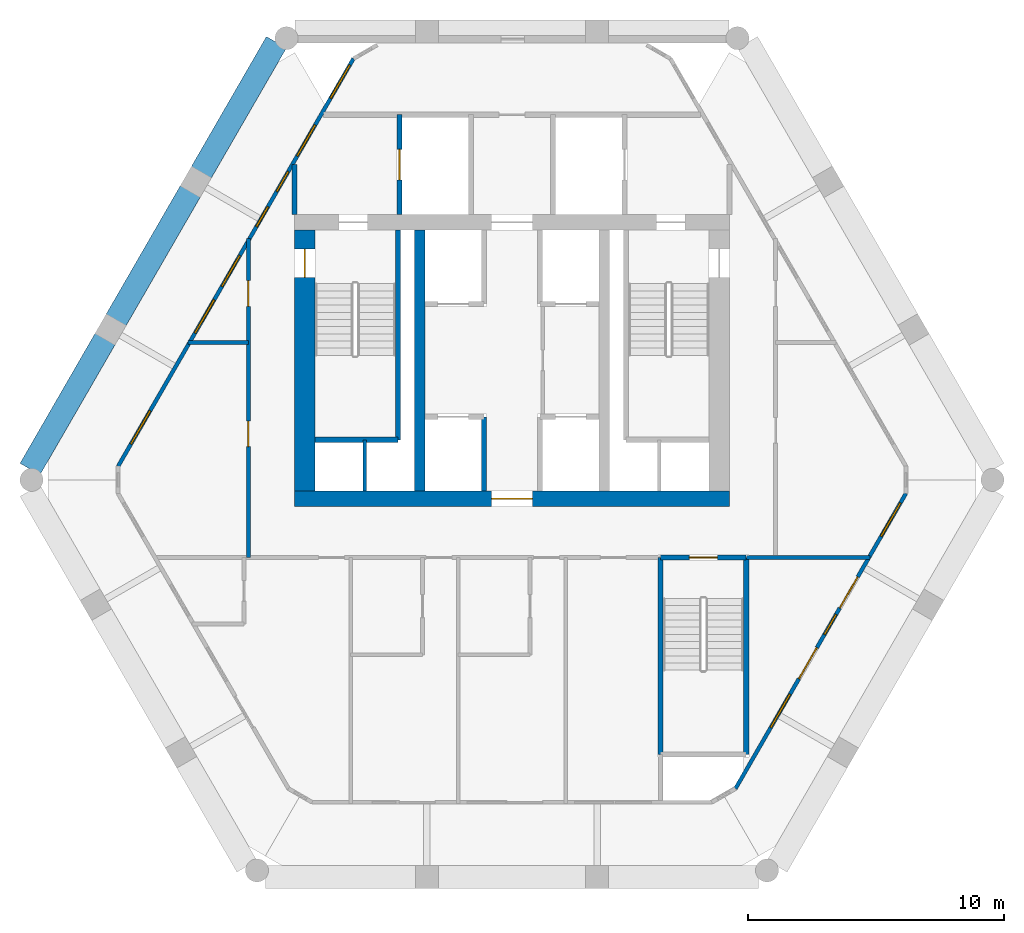
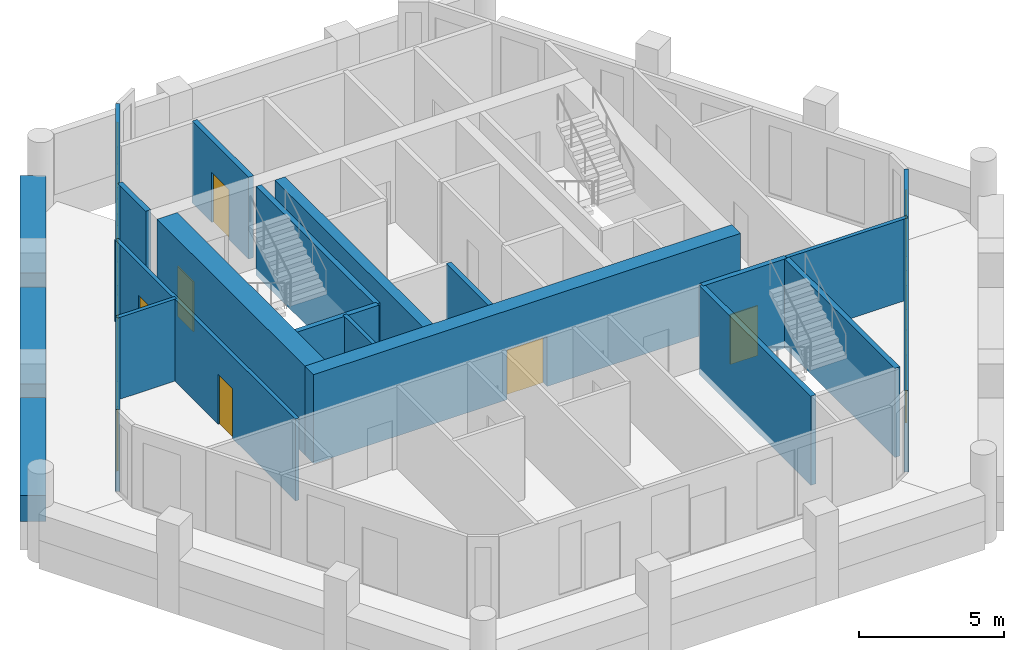
# One storey, part 3 of 6: 20 walls, 10 windows, 8 doors, 18 openings.
"""IFC4 building model written with IfcOpenShell, lengths in metres."""

from ifc_helpers import new_model, si_unit, direction, frame, frame_2d, origin, place, context, subcontext, project, spatial, rectangle, extrude, material, layer, layer_set, type_object, element, fill, save


model = new_model("IFC4")

# Units and contexts
model_context = context("Model", 3, precision=1e-05, world=origin(), true_north=direction((0.0, 1.0)))
body_context = subcontext(model_context, "Body", "Model", "MODEL_VIEW")
ifc_project = project(units=[si_unit("LENGTHUNIT", "METRE"), si_unit("AREAUNIT", "SQUARE_METRE"), si_unit("VOLUMEUNIT", "CUBIC_METRE"), si_unit("PLANEANGLEUNIT", "RADIAN"), si_unit("MASSUNIT", "GRAM", prefix="KILO")], contexts=[model_context])

# Site, building, storey
site_placement = place(None, origin())
site = spatial("IfcSite", under=ifc_project, at=site_placement, CompositionType="ELEMENT")
building_placement = place(site_placement, origin())
building = spatial("IfcBuilding", under=site, at=building_placement, Name="Ostrander Bayou Hotel Tower", CompositionType="ELEMENT")
storey_placement = place(building_placement, frame((0.0, 0.0, 248.75)))
storey = spatial("IfcBuildingStorey", under=building, at=storey_placement, Name="L61", CompositionType="ELEMENT", Elevation=248.75)

# Wall, opening, door
ifc_material_1 = material(Name="Concrete f'c 60 MPa", Category="concrete")
ifc_layer_1 = layer(ifc_material_1, 0.60009765625)
ifc_layer_set_1 = layer_set([ifc_layer_1], Name="CW10 core wall 600 mm f'c 60 MPa")
wall_type_1 = type_object("IfcWallType", Name="CW10 core wall 600 mm f'c 60 MPa", PredefinedType="SHEAR", material=ifc_layer_set_1)
wall_1_placement = place(storey_placement, frame((-8.5, -1.39990234375, -0.300048828125), z_axis=(0.0, 0.0, 1.0), x_axis=(1.0, 0.0, 0.0)))
wall_1 = element("IfcWall", 1, at=wall_1_placement, inside=storey, type_object=wall_type_1, Name="CW10 L61 S", PredefinedType="SHEAR", context=body_context, shape_type="SweptSolid", body=[
    extrude(rectangle(XDim=17.0, YDim=0.60009765625, at=frame_2d((8.5, 0.0))), origin(), (0.0, 0.0, 1.0), 3.75),
])
opening_1_placement = place(wall_1_placement, frame((7.699951171875, 0.0, 0.0)))
opening_1 = element("IfcOpeningElement", 2, at=opening_1_placement, cuts=wall_1, Name="Opening T60-005", PredefinedType="OPENING", context=body_context, shape_type="SweptSolid", body=[
    extrude(rectangle(XDim=1.60009765625, YDim=2.10009765625, at=frame_2d((0.800048828125, 1.050048828125))), frame((0.0, 0.300048828125, 0.0), z_axis=(0.0, -1.0, 0.0), x_axis=(1.0, 0.0, 0.0)), (0.0, 0.0, 1.0), 0.60009765625),
])
ifc_material_2 = material(Name="Timber door leaf", Category="wood")
door_type_1 = type_object("IfcDoorType", Name="D13 double door 1600 x 2100 mm, 1 hour", OperationType="SINGLE_SWING_LEFT", PredefinedType="DOOR", material=ifc_material_2)
door_1_placement = place(opening_1_placement, origin())
door_1 = element("IfcDoor", 3, at=door_1_placement, inside=storey, type_object=door_type_1, Name="dr:L61:005", OperationType="DOUBLE_DOOR_SINGLE_SWING", OverallHeight=2.10009765625, OverallWidth=1.60009765625, PredefinedType="DOOR", context=body_context, shape_type="SweptSolid", body=[
    extrude(rectangle(XDim=1.60009765625, YDim=2.10009765625, at=frame_2d((0.800048828125, 1.050048828125))), frame((0.0, 0.02490234375, 0.0), z_axis=(0.0, -1.0, 0.0), x_axis=(1.0, 0.0, 0.0)), (0.0, 0.0, 1.0), 0.050048828125),
])
fill(opening_1, door_1)

ifc_material_3 = material(Name="Concrete f'c 60 MPa", Category="concrete")
ifc_layer_2 = layer(ifc_material_3, 0.800048828125)
ifc_layer_set_2 = layer_set([ifc_layer_2], Name="CW11 core spine wall 800 mm f'c 60 MPa")
wall_type_2 = type_object("IfcWallType", Name="CW11 core spine wall 800 mm f'c 60 MPa", PredefinedType="SHEAR", material=ifc_layer_set_2)
wall_2_placement = place(storey_placement, frame((-8.10009765625, -1.10009765625, -0.300048828125), z_axis=(0.0, 0.0, 1.0), x_axis=(0.0, 1.0, 0.0)))
wall_2 = element("IfcWall", 4, at=wall_2_placement, inside=storey, type_object=wall_type_2, Name="CW11 L61 W", PredefinedType="SHEAR", context=body_context, shape_type="SweptSolid", body=[
    extrude(rectangle(XDim=10.2001953125, YDim=0.800048828125, at=frame_2d((5.10009765625, 0.0))), origin(), (0.0, 0.0, 1.0), 3.75),
])
opening_2_placement = place(wall_2_placement, frame((8.35009765625, 0.0, 0.0)))
opening_2 = element("IfcOpeningElement", 5, at=opening_2_placement, cuts=wall_2, Name="Opening T60-008", PredefinedType="OPENING", context=body_context, shape_type="SweptSolid", body=[
    extrude(rectangle(XDim=1.10009765625, YDim=2.10009765625, at=frame_2d((0.550048828125, 1.050048828125))), frame((0.0, 0.39990234375, 0.0), z_axis=(0.0, -1.0, 0.0), x_axis=(1.0, 0.0, 0.0)), (0.0, 0.0, 1.0), 0.800048828125),
])
ifc_material_4 = material(Name="Timber door leaf", Category="wood")
door_type_2 = type_object("IfcDoorType", Name="D5 stair door 1100 x 2100 mm, 90 minute", OperationType="SINGLE_SWING_LEFT", PredefinedType="DOOR", material=ifc_material_4)
door_2_placement = place(opening_2_placement, origin())
door_2 = element("IfcDoor", 6, at=door_2_placement, inside=storey, type_object=door_type_2, Name="dr:L61:008", OperationType="SINGLE_SWING_RIGHT", OverallHeight=2.10009765625, OverallWidth=1.10009765625, PredefinedType="DOOR", context=body_context, shape_type="SweptSolid", body=[
    extrude(rectangle(XDim=1.10009765625, YDim=2.10009765625, at=frame_2d((0.550048828125, 1.050048828125))), frame((0.0, 0.02490234375, 0.0), z_axis=(0.0, -1.0, 0.0), x_axis=(1.0, 0.0, 0.0)), (0.0, 0.0, 1.0), 0.050048828125),
])
fill(opening_2, door_2)

# Wall
ifc_material_5 = material(Name="Concrete f'c 60 MPa", Category="concrete")
ifc_layer_3 = layer(ifc_material_5, 0.39990234375)
ifc_layer_set_3 = layer_set([ifc_layer_3], Name="CW12 core bank wall 400 mm f'c 60 MPa")
wall_type_3 = type_object("IfcWallType", Name="CW12 core bank wall 400 mm f'c 60 MPa", PredefinedType="SHEAR", material=ifc_layer_set_3)
wall_3_placement = place(storey_placement, frame((-3.60009765625, -1.10009765625, -0.300048828125), z_axis=(0.0, 0.0, 1.0), x_axis=(0.0, 1.0, 0.0)))
element("IfcWall", 7, at=wall_3_placement, inside=storey, type_object=wall_type_3, Name="CW12 L61 CW", PredefinedType="SHEAR", context=body_context, shape_type="SweptSolid", body=[
    extrude(rectangle(XDim=10.2001953125, YDim=0.39990234375, at=frame_2d((5.10009765625, 0.0))), origin(), (0.0, 0.0, 1.0), 3.75),
])

# Wall, openings, windows
ifc_material_6 = material(Name="Aluminium framed insulated wall", Category="aluminium")
ifc_layer_4 = layer(ifc_material_6, 0.14990234375)
ifc_layer_set_4 = layer_set([ifc_layer_4], Name="GW1 glass-line wall 150 mm")
wall_type_4 = type_object("IfcWallType", Name="GW1 glass-line wall 150 mm", PredefinedType="SOLIDWALL", material=ifc_layer_set_4)
wall_4_placement = place(storey_placement, frame((-6.19287109375, 15.79248046875, 0.0), z_axis=(0.0, 0.0, 1.0), x_axis=(-0.499998651697, -0.866026182226, 0.0)))
wall_4 = element("IfcWall", 8, at=wall_4_placement, inside=storey, type_object=wall_type_4, Name="GW1 L61 NW 1", PredefinedType="SOLIDWALL", context=body_context, shape_type="SweptSolid", body=[
    extrude(rectangle(XDim=18.38916015625, YDim=0.14990234375, at=frame_2d((9.194580078125, 0.0))), origin(), (0.0, 0.0, 1.0), 3.449951171875),
])
opening_3_placement = place(wall_4_placement, frame((5.093505859375, 0.0, 0.14990234375)))
opening_3 = element("IfcOpeningElement", 9, at=opening_3_placement, cuts=wall_4, Name="Opening W18", PredefinedType="OPENING", context=body_context, shape_type="SweptSolid", body=[
    extrude(rectangle(XDim=0.89990234375, YDim=2.85009765625, at=frame_2d((0.449951171875, 1.425048828125))), frame((0.0, 0.074951171875, 0.0), z_axis=(0.0, -1.0, 0.0), x_axis=(1.0, 0.0, 0.0)), (0.0, 0.0, 1.0), 0.14990234375),
])
opening_4_placement = place(wall_4_placement, frame((2.99365234375, 0.0, 0.14990234375)))
opening_4 = element("IfcOpeningElement", 10, at=opening_4_placement, cuts=wall_4, Name="Opening W14", PredefinedType="OPENING", context=body_context, shape_type="SweptSolid", body=[
    extrude(rectangle(XDim=1.39990234375, YDim=2.85009765625, at=frame_2d((0.699951171875, 1.425048828125))), frame((0.0, 0.074951171875, 0.0), z_axis=(0.0, -1.0, 0.0), x_axis=(1.0, 0.0, 0.0)), (0.0, 0.0, 1.0), 0.14990234375),
])
opening_5_placement = place(wall_4_placement, frame((6.68017578125, 0.0, 0.14990234375)))
opening_5 = element("IfcOpeningElement", 11, at=opening_5_placement, cuts=wall_4, Name="Opening W18", PredefinedType="OPENING", context=body_context, shape_type="SweptSolid", body=[
    extrude(rectangle(XDim=0.89990234375, YDim=2.85009765625, at=frame_2d((0.449951171875, 1.425048828125))), frame((0.0, 0.074951171875, 0.0), z_axis=(0.0, -1.0, 0.0), x_axis=(1.0, 0.0, 0.0)), (0.0, 0.0, 1.0), 0.14990234375),
])
opening_6_placement = place(wall_4_placement, frame((8.880126953125, 0.0, 0.14990234375)))
opening_6 = element("IfcOpeningElement", 12, at=opening_6_placement, cuts=wall_4, Name="Opening W14", PredefinedType="OPENING", context=body_context, shape_type="SweptSolid", body=[
    extrude(rectangle(XDim=1.39990234375, YDim=2.85009765625, at=frame_2d((0.699951171875, 1.425048828125))), frame((0.0, 0.074951171875, 0.0), z_axis=(0.0, -1.0, 0.0), x_axis=(1.0, 0.0, 0.0)), (0.0, 0.0, 1.0), 0.14990234375),
])
opening_7_placement = place(wall_4_placement, frame((10.880126953125, 0.0, 0.14990234375)))
opening_7 = element("IfcOpeningElement", 13, at=opening_7_placement, cuts=wall_4, Name="Opening W4", PredefinedType="OPENING", context=body_context, shape_type="SweptSolid", body=[
    extrude(rectangle(XDim=1.5, YDim=2.85009765625, at=frame_2d((0.75, 1.425048828125))), frame((0.0, 0.074951171875, 0.0), z_axis=(0.0, -1.0, 0.0), x_axis=(1.0, 0.0, 0.0)), (0.0, 0.0, 1.0), 0.14990234375),
])
opening_8_placement = place(wall_4_placement, frame((0.2900390625, 0.0, 0.14990234375)))
opening_8 = element("IfcOpeningElement", 14, at=opening_8_placement, cuts=wall_4, Name="Opening W4", PredefinedType="OPENING", context=body_context, shape_type="SweptSolid", body=[
    extrude(rectangle(XDim=1.5, YDim=2.72998046875, at=frame_2d((0.75, 1.364990234375))), frame((0.0, 0.074951171875, 0.0), z_axis=(0.0, -1.0, 0.0), x_axis=(1.0, 0.0, 0.0)), (0.0, 0.0, 1.0), 0.14990234375),
])
opening_9_placement = place(wall_4_placement, frame((15.884765625, 0.0, 0.14990234375)))
opening_9 = element("IfcOpeningElement", 15, at=opening_9_placement, cuts=wall_4, Name="Opening W4", PredefinedType="OPENING", context=body_context, shape_type="SweptSolid", body=[
    extrude(rectangle(XDim=1.5, YDim=2.72998046875, at=frame_2d((0.75, 1.364990234375))), frame((0.0, 0.074951171875, 0.0), z_axis=(0.0, -1.0, 0.0), x_axis=(1.0, 0.0, 0.0)), (0.0, 0.0, 1.0), 0.14990234375),
])
ifc_material_7 = material(Name="Aluminium and clear glass", Category="aluminium")
window_type_1 = type_object("IfcWindowType", Name="W14 fixed window 1400 mm, bath bay, zone 4", PartitioningType="SINGLE_PANEL", PredefinedType="WINDOW", material=ifc_material_7)
window_1_placement = place(opening_4_placement, origin())
window_1 = element("IfcWindow", 16, at=window_1_placement, inside=storey, type_object=window_type_1, Name="W14 L61 NW 1", OverallHeight=2.85009765625, OverallWidth=1.39990234375, PartitioningType="SINGLE_PANEL", PredefinedType="WINDOW", context=body_context, shape_type="SweptSolid", body=[
    extrude(rectangle(XDim=1.39990234375, YDim=2.85009765625, at=frame_2d((0.699951171875, 1.425048828125))), frame((0.0, 0.030029296875, 0.0), z_axis=(0.0, -1.0, 0.0), x_axis=(1.0, 0.0, 0.0)), (0.0, 0.0, 1.0), 0.06005859375),
])
fill(opening_4, window_1)
window_2_placement = place(opening_6_placement, origin())
window_2 = element("IfcWindow", 17, at=window_2_placement, inside=storey, type_object=window_type_1, Name="W14 L61 NW 2", OverallHeight=2.85009765625, OverallWidth=1.39990234375, PartitioningType="SINGLE_PANEL", PredefinedType="WINDOW", context=body_context, shape_type="SweptSolid", body=[
    extrude(rectangle(XDim=1.39990234375, YDim=2.85009765625, at=frame_2d((0.699951171875, 1.425048828125))), frame((0.0, 0.030029296875, 0.0), z_axis=(0.0, -1.0, 0.0), x_axis=(1.0, 0.0, 0.0)), (0.0, 0.0, 1.0), 0.06005859375),
])
fill(opening_6, window_2)
ifc_material_8 = material(Name="Aluminium and clear glass", Category="aluminium")
window_type_2 = type_object("IfcWindowType", Name="W18 window 900 mm, zone 4", PartitioningType="SINGLE_PANEL", PredefinedType="WINDOW", material=ifc_material_8)
window_3_placement = place(opening_3_placement, origin())
window_3 = element("IfcWindow", 18, at=window_3_placement, inside=storey, type_object=window_type_2, Name="W18 L61 NW 1", OverallHeight=2.85009765625, OverallWidth=0.89990234375, PartitioningType="SINGLE_PANEL", PredefinedType="WINDOW", context=body_context, shape_type="SweptSolid", body=[
    extrude(rectangle(XDim=0.89990234375, YDim=2.85009765625, at=frame_2d((0.449951171875, 1.425048828125))), frame((0.0, 0.030029296875, 0.0), z_axis=(0.0, -1.0, 0.0), x_axis=(1.0, 0.0, 0.0)), (0.0, 0.0, 1.0), 0.06005859375),
])
fill(opening_3, window_3)
window_4_placement = place(opening_5_placement, origin())
window_4 = element("IfcWindow", 19, at=window_4_placement, inside=storey, type_object=window_type_2, Name="W18 L61 NW 2", OverallHeight=2.85009765625, OverallWidth=0.89990234375, PartitioningType="SINGLE_PANEL", PredefinedType="WINDOW", context=body_context, shape_type="SweptSolid", body=[
    extrude(rectangle(XDim=0.89990234375, YDim=2.85009765625, at=frame_2d((0.449951171875, 1.425048828125))), frame((0.0, 0.030029296875, 0.0), z_axis=(0.0, -1.0, 0.0), x_axis=(1.0, 0.0, 0.0)), (0.0, 0.0, 1.0), 0.06005859375),
])
fill(opening_5, window_4)
ifc_material_9 = material(Name="Aluminium and clear glass", Category="aluminium")
window_type_3 = type_object("IfcWindowType", Name="W4 fixed window 1500 mm, zone 4", PartitioningType="SINGLE_PANEL", PredefinedType="WINDOW", material=ifc_material_9)
window_5_placement = place(opening_7_placement, origin())
window_5 = element("IfcWindow", 20, at=window_5_placement, inside=storey, type_object=window_type_3, Name="W4 L61 NW 3", OverallHeight=2.85009765625, OverallWidth=1.5, PartitioningType="SINGLE_PANEL", PredefinedType="WINDOW", context=body_context, shape_type="SweptSolid", body=[
    extrude(rectangle(XDim=1.5, YDim=2.85009765625, at=frame_2d((0.75, 1.425048828125))), frame((0.0, 0.030029296875, 0.0), z_axis=(0.0, -1.0, 0.0), x_axis=(1.0, 0.0, 0.0)), (0.0, 0.0, 1.0), 0.06005859375),
])
fill(opening_7, window_5)
window_6_placement = place(opening_8_placement, origin())
window_6 = element("IfcWindow", 21, at=window_6_placement, inside=storey, type_object=window_type_3, Name="W4 L61 NW E11", OverallHeight=2.72998046875, OverallWidth=1.5, PartitioningType="SINGLE_PANEL", PredefinedType="WINDOW", context=body_context, shape_type="SweptSolid", body=[
    extrude(rectangle(XDim=1.5, YDim=2.72998046875, at=frame_2d((0.75, 1.364990234375))), frame((0.0, 0.030029296875, 0.0), z_axis=(0.0, -1.0, 0.0), x_axis=(1.0, 0.0, 0.0)), (0.0, 0.0, 1.0), 0.06005859375),
])
fill(opening_8, window_6)
window_7_placement = place(opening_9_placement, origin())
window_7 = element("IfcWindow", 22, at=window_7_placement, inside=storey, type_object=window_type_3, Name="W4 L61 NW E21", OverallHeight=2.72998046875, OverallWidth=1.5, PartitioningType="SINGLE_PANEL", PredefinedType="WINDOW", context=body_context, shape_type="SweptSolid", body=[
    extrude(rectangle(XDim=1.5, YDim=2.72998046875, at=frame_2d((0.75, 1.364990234375))), frame((0.0, 0.030029296875, 0.0), z_axis=(0.0, -1.0, 0.0), x_axis=(1.0, 0.0, 0.0)), (0.0, 0.0, 1.0), 0.06005859375),
])
fill(opening_9, window_7)

# Wall, openings, doors, windows
wall_5_placement = place(storey_placement, frame((8.731201171875, -12.72705078125, 0.0), z_axis=(0.0, 0.0, 1.0), x_axis=(0.499997087355, 0.866027085394, 0.0)))
wall_5 = element("IfcWall", 23, at=wall_5_placement, inside=storey, type_object=wall_type_4, Name="GW1 L61 SE 1", PredefinedType="SOLIDWALL", context=body_context, shape_type="SweptSolid", body=[
    extrude(rectangle(XDim=13.3125, YDim=0.14990234375, at=frame_2d((6.65625, 0.0))), origin(), (0.0, 0.0, 1.0), 3.449951171875),
])
opening_10_placement = place(wall_5_placement, frame((2.75634765625, 0.0, 0.14990234375)))
opening_10 = element("IfcOpeningElement", 24, at=opening_10_placement, cuts=wall_5, Name="Opening W4", PredefinedType="OPENING", context=body_context, shape_type="SweptSolid", body=[
    extrude(rectangle(XDim=1.5, YDim=2.85009765625, at=frame_2d((0.75, 1.425048828125))), frame((0.0, 0.074951171875, 0.0), z_axis=(0.0, -1.0, 0.0), x_axis=(1.0, 0.0, 0.0)), (0.0, 0.0, 1.0), 0.14990234375),
])
opening_11_placement = place(wall_5_placement, frame((4.956298828125, 0.0, 0.0)))
opening_11 = element("IfcOpeningElement", 25, at=opening_11_placement, cuts=wall_5, Name="Opening T60-803", PredefinedType="OPENING", context=body_context, shape_type="SweptSolid", body=[
    extrude(rectangle(XDim=1.39990234375, YDim=2.39990234375, at=frame_2d((0.699951171875, 1.199951171875))), frame((0.0, 0.074951171875, 0.0), z_axis=(0.0, -1.0, 0.0), x_axis=(1.0, 0.0, 0.0)), (0.0, 0.0, 1.0), 0.14990234375),
])
opening_12_placement = place(wall_5_placement, frame((6.956298828125, 0.0, 0.14990234375)))
opening_12 = element("IfcOpeningElement", 26, at=opening_12_placement, cuts=wall_5, Name="Opening W18", PredefinedType="OPENING", context=body_context, shape_type="SweptSolid", body=[
    extrude(rectangle(XDim=0.89990234375, YDim=2.85009765625, at=frame_2d((0.449951171875, 1.425048828125))), frame((0.0, 0.074951171875, 0.0), z_axis=(0.0, -1.0, 0.0), x_axis=(1.0, 0.0, 0.0)), (0.0, 0.0, 1.0), 0.14990234375),
])
opening_13_placement = place(wall_5_placement, frame((8.1494140625, 0.0, 0.0)))
opening_13 = element("IfcOpeningElement", 27, at=opening_13_placement, cuts=wall_5, Name="Opening T60-804", PredefinedType="OPENING", context=body_context, shape_type="SweptSolid", body=[
    extrude(rectangle(XDim=1.39990234375, YDim=2.39990234375, at=frame_2d((0.699951171875, 1.199951171875))), frame((0.0, 0.074951171875, 0.0), z_axis=(0.0, -1.0, 0.0), x_axis=(1.0, 0.0, 0.0)), (0.0, 0.0, 1.0), 0.14990234375),
])
opening_14_placement = place(wall_5_placement, frame((11.384521484375, 0.0, 0.14990234375)))
opening_14 = element("IfcOpeningElement", 28, at=opening_14_placement, cuts=wall_5, Name="Opening W4", PredefinedType="OPENING", context=body_context, shape_type="SweptSolid", body=[
    extrude(rectangle(XDim=1.5, YDim=2.72998046875, at=frame_2d((0.75, 1.364990234375))), frame((0.0, 0.074951171875, 0.0), z_axis=(0.0, -1.0, 0.0), x_axis=(1.0, 0.0, 0.0)), (0.0, 0.0, 1.0), 0.14990234375),
])
ifc_material_10 = material(Name="Aluminium and clear glass", Category="aluminium")
door_type_3 = type_object("IfcDoorType", Name="SD4 sliding glass door 1400 mm, zone 4", OperationType="SLIDING_TO_LEFT", PredefinedType="DOOR", material=ifc_material_10)
door_3_placement = place(opening_11_placement, origin())
door_3 = element("IfcDoor", 29, at=door_3_placement, inside=storey, type_object=door_type_3, Name="SD4 L61 SE 1", OperationType="SLIDING_TO_LEFT", OverallHeight=2.39990234375, OverallWidth=1.39990234375, PredefinedType="DOOR", context=body_context, shape_type="SweptSolid", body=[
    extrude(rectangle(XDim=1.39990234375, YDim=2.39990234375, at=frame_2d((0.699951171875, 1.199951171875))), frame((0.0, 0.02490234375, 0.0), z_axis=(0.0, -1.0, 0.0), x_axis=(1.0, 0.0, 0.0)), (0.0, 0.0, 1.0), 0.050048828125),
])
fill(opening_11, door_3)
door_4_placement = place(opening_13_placement, origin())
door_4 = element("IfcDoor", 30, at=door_4_placement, inside=storey, type_object=door_type_3, Name="SD4 L61 SE 2", OperationType="SLIDING_TO_RIGHT", OverallHeight=2.39990234375, OverallWidth=1.39990234375, PredefinedType="DOOR", context=body_context, shape_type="SweptSolid", body=[
    extrude(rectangle(XDim=1.39990234375, YDim=2.39990234375, at=frame_2d((0.699951171875, 1.199951171875))), frame((0.0, 0.02490234375, 0.0), z_axis=(0.0, -1.0, 0.0), x_axis=(1.0, 0.0, 0.0)), (0.0, 0.0, 1.0), 0.050048828125),
])
fill(opening_13, door_4)
window_8_placement = place(opening_12_placement, origin())
window_8 = element("IfcWindow", 31, at=window_8_placement, inside=storey, type_object=window_type_2, Name="W18 L61 SE 2", OverallHeight=2.85009765625, OverallWidth=0.89990234375, PartitioningType="SINGLE_PANEL", PredefinedType="WINDOW", context=body_context, shape_type="SweptSolid", body=[
    extrude(rectangle(XDim=0.89990234375, YDim=2.85009765625, at=frame_2d((0.449951171875, 1.425048828125))), frame((0.0, 0.030029296875, 0.0), z_axis=(0.0, -1.0, 0.0), x_axis=(1.0, 0.0, 0.0)), (0.0, 0.0, 1.0), 0.06005859375),
])
fill(opening_12, window_8)
window_9_placement = place(opening_10_placement, origin())
window_9 = element("IfcWindow", 32, at=window_9_placement, inside=storey, type_object=window_type_3, Name="W4 L61 SE 1", OverallHeight=2.85009765625, OverallWidth=1.5, PartitioningType="SINGLE_PANEL", PredefinedType="WINDOW", context=body_context, shape_type="SweptSolid", body=[
    extrude(rectangle(XDim=1.5, YDim=2.85009765625, at=frame_2d((0.75, 1.425048828125))), frame((0.0, 0.030029296875, 0.0), z_axis=(0.0, -1.0, 0.0), x_axis=(1.0, 0.0, 0.0)), (0.0, 0.0, 1.0), 0.06005859375),
])
fill(opening_10, window_9)
window_10_placement = place(opening_14_placement, origin())
window_10 = element("IfcWindow", 33, at=window_10_placement, inside=storey, type_object=window_type_3, Name="W4 L61 SE E21", OverallHeight=2.72998046875, OverallWidth=1.5, PartitioningType="SINGLE_PANEL", PredefinedType="WINDOW", context=body_context, shape_type="SweptSolid", body=[
    extrude(rectangle(XDim=1.5, YDim=2.72998046875, at=frame_2d((0.75, 1.364990234375))), frame((0.0, 0.030029296875, 0.0), z_axis=(0.0, -1.0, 0.0), x_axis=(1.0, 0.0, 0.0)), (0.0, 0.0, 1.0), 0.06005859375),
])
fill(opening_14, window_10)

# Walls
ifc_material_11 = material(Name="Concrete f'c 40 MPa", Category="concrete")
ifc_layer_5 = layer(ifc_material_11, 0.89990234375)
ifc_layer_set_5 = layer_set([ifc_layer_5], Name="PA1 stone-faced parapet 900 mm")
wall_type_5 = type_object("IfcWallType", Name="PA1 stone-faced parapet 900 mm", PredefinedType="PARAPET", material=ifc_layer_set_5)
wall_6_placement = place(storey_placement, frame((-9.20361328125, 16.427978515625, 0.0), z_axis=(0.0, 0.0, 1.0), x_axis=(-0.500008985279, -0.866020216069, 0.0)))
element("IfcWall", 34, at=wall_6_placement, inside=storey, type_object=wall_type_5, Name="PA1 L61 NW-1", PredefinedType="PARAPET", context=body_context, shape_type="SweptSolid", body=[
    extrude(rectangle(XDim=5.8759765625, YDim=0.89990234375, at=frame_2d((2.93798828125, 0.0))), origin(), (0.0, 0.0, 1.0), 1.10009765625),
])
wall_7_placement = place(storey_placement, frame((-12.5615234375, 10.61181640625, 0.0), z_axis=(0.0, 0.0, 1.0), x_axis=(-0.499997265274, -0.866026982673, 0.0)))
element("IfcWall", 35, at=wall_7_placement, inside=storey, type_object=wall_type_5, Name="PA1 L61 NW-2", PredefinedType="PARAPET", context=body_context, shape_type="SweptSolid", body=[
    extrude(rectangle(XDim=5.81884765625, YDim=0.89990234375, at=frame_2d((2.909423828125, 0.0))), origin(), (0.0, 0.0, 1.0), 1.10009765625),
])
wall_8_placement = place(storey_placement, frame((-15.890869140625, 4.84521484375, 0.0), z_axis=(0.0, 0.0, 1.0), x_axis=(-0.499990994059, -0.866030603304, 0.0)))
element("IfcWall", 36, at=wall_8_placement, inside=storey, type_object=wall_type_5, Name="PA1 L61 NW-3", PredefinedType="PARAPET", context=body_context, shape_type="SweptSolid", body=[
    extrude(rectangle(XDim=5.8759765625, YDim=0.89990234375, at=frame_2d((2.93798828125, 0.0))), origin(), (0.0, 0.0, 1.0), 1.10009765625),
])
ifc_material_12 = material(Name="Masonry block", Category="masonry")
ifc_layer_6 = layer(ifc_material_12, 0.199951171875)
ifc_layer_set_6 = layer_set([ifc_layer_6], Name="PT5 stair enclosure wall 200 mm masonry, 2 hour")
wall_type_6 = type_object("IfcWallType", Name="PT5 stair enclosure wall 200 mm masonry, 2 hour", PredefinedType="PARTITIONING", material=ifc_layer_set_6)
wall_9_placement = place(storey_placement, frame((-8.5, 9.699951171875, 0.0), z_axis=(0.0, 0.0, 1.0), x_axis=(0.0, 1.0, 0.0)))
element("IfcWall", 37, at=wall_9_placement, inside=storey, type_object=wall_type_6, Name="cs:L61:021", PredefinedType="PARTITIONING", context=body_context, shape_type="SweptSolid", body=[
    extrude(rectangle(XDim=1.946533203125, YDim=0.199951171875, at=frame_2d((0.97314453125, 0.0))), origin(), (0.0, 0.0, 1.0), 3.449951171875),
])

# Wall, opening, door
wall_10_placement = place(storey_placement, frame((-4.39990234375, 9.699951171875, 0.0), z_axis=(0.0, 0.0, 1.0), x_axis=(0.0, 1.0, 0.0)))
wall_10 = element("IfcWall", 38, at=wall_10_placement, inside=storey, type_object=wall_type_6, Name="cs:L61:023", PredefinedType="PARTITIONING", context=body_context, shape_type="SweptSolid", body=[
    extrude(rectangle(XDim=3.900146484375, YDim=0.199951171875, at=frame_2d((1.9501953125, 0.0))), origin(), (0.0, 0.0, 1.0), 3.449951171875),
])
opening_15_placement = place(wall_10_placement, frame((1.35009765625, 0.0, 0.0)))
opening_15 = element("IfcOpeningElement", 39, at=opening_15_placement, cuts=wall_10, Name="Opening T60-012", PredefinedType="OPENING", context=body_context, shape_type="SweptSolid", body=[
    extrude(rectangle(XDim=1.199951171875, YDim=2.10009765625, at=frame_2d((0.60009765625, 1.050048828125))), frame((0.0, 0.10009765625, 0.0), z_axis=(0.0, -1.0, 0.0), x_axis=(1.0, 0.0, 0.0)), (0.0, 0.0, 1.0), 0.199951171875),
])
ifc_material_13 = material(Name="Stainless steel sliding door", Category="steel")
door_type_4 = type_object("IfcDoorType", Name="LD1 lift landing door 1200 x 2100 mm", OperationType="SINGLE_SWING_LEFT", PredefinedType="DOOR", material=ifc_material_13)
door_5_placement = place(opening_15_placement, origin())
door_5 = element("IfcDoor", 40, at=door_5_placement, inside=storey, type_object=door_type_4, Name="dr:L61:012", OperationType="SLIDING_TO_LEFT", OverallHeight=2.10009765625, OverallWidth=1.199951171875, PredefinedType="DOOR", context=body_context, shape_type="SweptSolid", body=[
    extrude(rectangle(XDim=1.199951171875, YDim=2.10009765625, at=frame_2d((0.60009765625, 1.050048828125))), frame((0.0, 0.02490234375, 0.0), z_axis=(0.0, -1.0, 0.0), x_axis=(1.0, 0.0, 0.0)), (0.0, 0.0, 1.0), 0.050048828125),
])
fill(opening_15, door_5)

# Walls
ifc_material_14 = material(Name="Masonry block", Category="masonry")
ifc_layer_7 = layer(ifc_material_14, 0.199951171875)
ifc_layer_set_7 = layer_set([ifc_layer_7], Name="PT6 lift shaft wall 200 mm masonry, 2 hour")
wall_type_7 = type_object("IfcWallType", Name="PT6 lift shaft wall 200 mm masonry, 2 hour", PredefinedType="PARTITIONING", material=ifc_layer_set_7)
wall_11_placement = place(storey_placement, frame((-1.10009765625, -1.10009765625, 0.0), z_axis=(0.0, 0.0, 1.0), x_axis=(0.0, 1.0, 0.0)))
element("IfcWall", 41, at=wall_11_placement, inside=storey, type_object=wall_type_7, Name="cs:L61:005", PredefinedType="PARTITIONING", context=body_context, shape_type="SweptSolid", body=[
    extrude(rectangle(XDim=2.900146484375, YDim=0.199951171875, at=frame_2d((1.4501953125, 0.0))), origin(), (0.0, 0.0, 1.0), 3.449951171875),
])
ifc_material_15 = material(Name="Gypsum board partition", Category="finish")
ifc_layer_8 = layer(ifc_material_15, 0.14990234375)
ifc_layer_set_8 = layer_set([ifc_layer_8], Name="PT7 riser wall 150 mm, 2 hour")
wall_type_8 = type_object("IfcWallType", Name="PT7 riser wall 150 mm, 2 hour", PredefinedType="PARTITIONING", material=ifc_layer_set_8)
wall_12_placement = place(storey_placement, frame((-5.75, -1.10009765625, 0.0), z_axis=(0.0, 0.0, 1.0), x_axis=(0.0, 1.0, 0.0)))
element("IfcWall", 42, at=wall_12_placement, inside=storey, type_object=wall_type_8, Name="cs:L61:011", PredefinedType="PARTITIONING", context=body_context, shape_type="SweptSolid", body=[
    extrude(rectangle(XDim=2.0, YDim=0.14990234375, at=frame_2d((1.0, 0.0))), origin(), (0.0, 0.0, 1.0), 3.449951171875),
])
ifc_material_16 = material(Name="Gypsum board partition", Category="finish")
ifc_layer_9 = layer(ifc_material_16, 0.14990234375)
ifc_layer_set_9 = layer_set([ifc_layer_9], Name="PT8 service band wall 150 mm, 1 hour")
wall_type_9 = type_object("IfcWallType", Name="PT8 service band wall 150 mm, 1 hour", PredefinedType="PARTITIONING", material=ifc_layer_set_9)
wall_13_placement = place(storey_placement, frame((9.159912109375, -3.699951171875, 0.0), z_axis=(0.0, 0.0, 1.0), x_axis=(1.0, 0.0, 0.0)))
element("IfcWall", 43, at=wall_13_placement, inside=storey, type_object=wall_type_9, Name="gw:L61:005", PredefinedType="PARTITIONING", context=body_context, shape_type="SweptSolid", body=[
    extrude(rectangle(XDim=4.835205078125, YDim=0.14990234375, at=frame_2d((2.41748046875, 0.0))), origin(), (0.0, 0.0, 1.0), 3.449951171875),
])
wall_14_placement = place(storey_placement, frame((-12.64892578125, 4.699951171875, 0.0), z_axis=(0.0, 0.0, 1.0), x_axis=(1.0, 0.0, 0.0)))
element("IfcWall", 44, at=wall_14_placement, inside=storey, type_object=wall_type_9, Name="gw:L61:006", PredefinedType="PARTITIONING", context=body_context, shape_type="SweptSolid", body=[
    extrude(rectangle(XDim=2.348876953125, YDim=0.14990234375, at=frame_2d((1.17431640625, 0.0))), origin(), (0.0, 0.0, 1.0), 3.449951171875),
])

# Wall, openings, doors
wall_15_placement = place(storey_placement, frame((-10.300048828125, -3.699951171875, 0.0), z_axis=(0.0, 0.0, 1.0), x_axis=(0.0, 1.0, 0.0)))
wall_15 = element("IfcWall", 45, at=wall_15_placement, inside=storey, type_object=wall_type_9, Name="gw:L61:015", PredefinedType="PARTITIONING", context=body_context, shape_type="SweptSolid", body=[
    extrude(rectangle(XDim=12.468994140625, YDim=0.14990234375, at=frame_2d((6.234375, 0.0))), origin(), (0.0, 0.0, 1.0), 3.449951171875),
])
opening_16_placement = place(wall_15_placement, frame((4.33203125, 0.0, 0.0)))
opening_16 = element("IfcOpeningElement", 46, at=opening_16_placement, cuts=wall_15, Name="Opening T60-407", PredefinedType="OPENING", context=body_context, shape_type="SweptSolid", body=[
    extrude(rectangle(XDim=1.0, YDim=2.10009765625, at=frame_2d((0.5, 1.050048828125))), frame((0.0, 0.074951171875, 0.0), z_axis=(0.0, -1.0, 0.0), x_axis=(1.0, 0.0, 0.0)), (0.0, 0.0, 1.0), 0.14990234375),
])
opening_17_placement = place(wall_15_placement, frame((9.81494140625, 0.0, 0.0)))
opening_17 = element("IfcOpeningElement", 47, at=opening_17_placement, cuts=wall_15, Name="Opening T60-408", PredefinedType="OPENING", context=body_context, shape_type="SweptSolid", body=[
    extrude(rectangle(XDim=1.0, YDim=2.10009765625, at=frame_2d((0.5, 1.050048828125))), frame((0.0, 0.074951171875, 0.0), z_axis=(0.0, -1.0, 0.0), x_axis=(1.0, 0.0, 0.0)), (0.0, 0.0, 1.0), 0.14990234375),
])
ifc_material_17 = material(Name="Timber door leaf", Category="wood")
door_type_5 = type_object("IfcDoorType", Name="D15 room door 1000 x 2100 mm", OperationType="SINGLE_SWING_LEFT", PredefinedType="DOOR", material=ifc_material_17)
door_6_placement = place(opening_16_placement, origin())
door_6 = element("IfcDoor", 48, at=door_6_placement, inside=storey, type_object=door_type_5, Name="dr:L61:407", OperationType="SINGLE_SWING_RIGHT", OverallHeight=2.10009765625, OverallWidth=1.0, PredefinedType="DOOR", context=body_context, shape_type="SweptSolid", body=[
    extrude(rectangle(XDim=1.0, YDim=2.10009765625, at=frame_2d((0.5, 1.050048828125))), frame((0.0, 0.02490234375, 0.0), z_axis=(0.0, -1.0, 0.0), x_axis=(1.0, 0.0, 0.0)), (0.0, 0.0, 1.0), 0.050048828125),
])
fill(opening_16, door_6)
ifc_material_18 = material(Name="Timber door leaf", Category="wood")
door_type_6 = type_object("IfcDoorType", Name="D9 service door 1000 x 2100 mm, 30 minute", OperationType="SINGLE_SWING_LEFT", PredefinedType="DOOR", material=ifc_material_18)
door_7_placement = place(opening_17_placement, origin())
door_7 = element("IfcDoor", 49, at=door_7_placement, inside=storey, type_object=door_type_6, Name="dr:L61:408", OperationType="SINGLE_SWING_LEFT", OverallHeight=2.10009765625, OverallWidth=1.0, PredefinedType="DOOR", context=body_context, shape_type="SweptSolid", body=[
    extrude(rectangle(XDim=1.0, YDim=2.10009765625, at=frame_2d((0.5, 1.050048828125))), frame((0.0, 0.02490234375, 0.0), z_axis=(0.0, -1.0, 0.0), x_axis=(1.0, 0.0, 0.0)), (0.0, 0.0, 1.0), 0.050048828125),
])
fill(opening_17, door_7)

# Walls
ifc_material_19 = material(Name="Concrete f'c 45 MPa", Category="concrete")
ifc_layer_10 = layer(ifc_material_19, 0.199951171875)
ifc_layer_set_10 = layer_set([ifc_layer_10], Name="SW5 stair enclosure wall 200 mm f'c 45 MPa")
wall_type_10 = type_object("IfcWallType", Name="SW5 stair enclosure wall 200 mm f'c 45 MPa", PredefinedType="SOLIDWALL", material=ifc_layer_set_10)
wall_16_placement = place(storey_placement, frame((-4.449951171875, 0.89990234375, -0.300048828125), z_axis=(0.0, 0.0, 1.0), x_axis=(0.0, 1.0, 0.0)))
element("IfcWall", 50, at=wall_16_placement, inside=storey, type_object=wall_type_10, Name="cs:L61:009", PredefinedType="SOLIDWALL", context=body_context, shape_type="SweptSolid", body=[
    extrude(rectangle(XDim=8.2001953125, YDim=0.199951171875, at=frame_2d((4.10009765625, 0.0))), origin(), (0.0, 0.0, 1.0), 3.75),
])
wall_17_placement = place(storey_placement, frame((-7.699951171875, 0.89990234375, -0.300048828125), z_axis=(0.0, 0.0, 1.0), x_axis=(1.0, 0.0, 0.0)))
element("IfcWall", 51, at=wall_17_placement, inside=storey, type_object=wall_type_10, Name="cs:L61:010", PredefinedType="SOLIDWALL", context=body_context, shape_type="SweptSolid", body=[
    extrude(rectangle(XDim=3.25, YDim=0.199951171875, at=frame_2d((1.625, 0.0))), origin(), (0.0, 0.0, 1.0), 3.75),
])

# Wall, opening, door
wall_18_placement = place(storey_placement, frame((5.800048828125, -3.699951171875, -0.300048828125), z_axis=(0.0, 0.0, 1.0), x_axis=(1.0, 0.0, 0.0)))
wall_18 = element("IfcWall", 52, at=wall_18_placement, inside=storey, type_object=wall_type_10, Name="cs:L61:015", PredefinedType="SOLIDWALL", context=body_context, shape_type="SweptSolid", body=[
    extrude(rectangle(XDim=3.349853515625, YDim=0.199951171875, at=frame_2d((1.6748046875, 0.0))), origin(), (0.0, 0.0, 1.0), 3.75),
])
opening_18_placement = place(wall_18_placement, frame((1.125, 0.0, 0.0)))
opening_18 = element("IfcOpeningElement", 53, at=opening_18_placement, cuts=wall_18, Name="Opening T60-011", PredefinedType="OPENING", context=body_context, shape_type="SweptSolid", body=[
    extrude(rectangle(XDim=1.10009765625, YDim=2.10009765625, at=frame_2d((0.550048828125, 1.050048828125))), frame((0.0, 0.10009765625, 0.0), z_axis=(0.0, -1.0, 0.0), x_axis=(1.0, 0.0, 0.0)), (0.0, 0.0, 1.0), 0.199951171875),
])
door_8_placement = place(opening_18_placement, origin())
door_8 = element("IfcDoor", 54, at=door_8_placement, inside=storey, type_object=door_type_2, Name="dr:L61:011", OperationType="SINGLE_SWING_LEFT", OverallHeight=2.10009765625, OverallWidth=1.10009765625, PredefinedType="DOOR", context=body_context, shape_type="SweptSolid", body=[
    extrude(rectangle(XDim=1.10009765625, YDim=2.10009765625, at=frame_2d((0.550048828125, 1.050048828125))), frame((0.0, 0.02490234375, 0.0), z_axis=(0.0, -1.0, 0.0), x_axis=(1.0, 0.0, 0.0)), (0.0, 0.0, 1.0), 0.050048828125),
])
fill(opening_18, door_8)

# Walls
for number, where, z_axis, x_axis, name in (
    (55, (5.800048828125, -3.699951171875, -0.300048828125), (0.0, 0.0, 1.0), (0.0, -1.0, 0.0), "cs:L61:016"),
    (56, (9.14990234375, -3.699951171875, -0.300048828125), (0.0, 0.0, 1.0), (0.0, -1.0, 0.0), "cs:L61:017"),
):
    element("IfcWall", number, at=place(storey_placement, frame(where, z_axis=z_axis, x_axis=x_axis)), inside=storey, type_object=wall_type_10, Name=name, PredefinedType="SOLIDWALL", context=body_context, shape_type="SweptSolid", body=[
        extrude(rectangle(XDim=7.699951171875, YDim=0.199951171875, at=frame_2d((3.85009765625, 0.0))), origin(), (0.0, 0.0, 1.0), 3.75),
    ])

save(model, "model.ifc")
